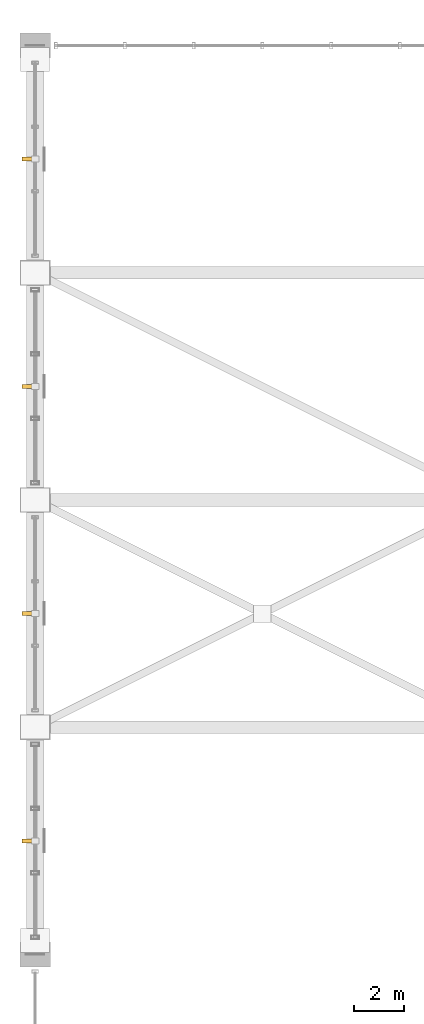
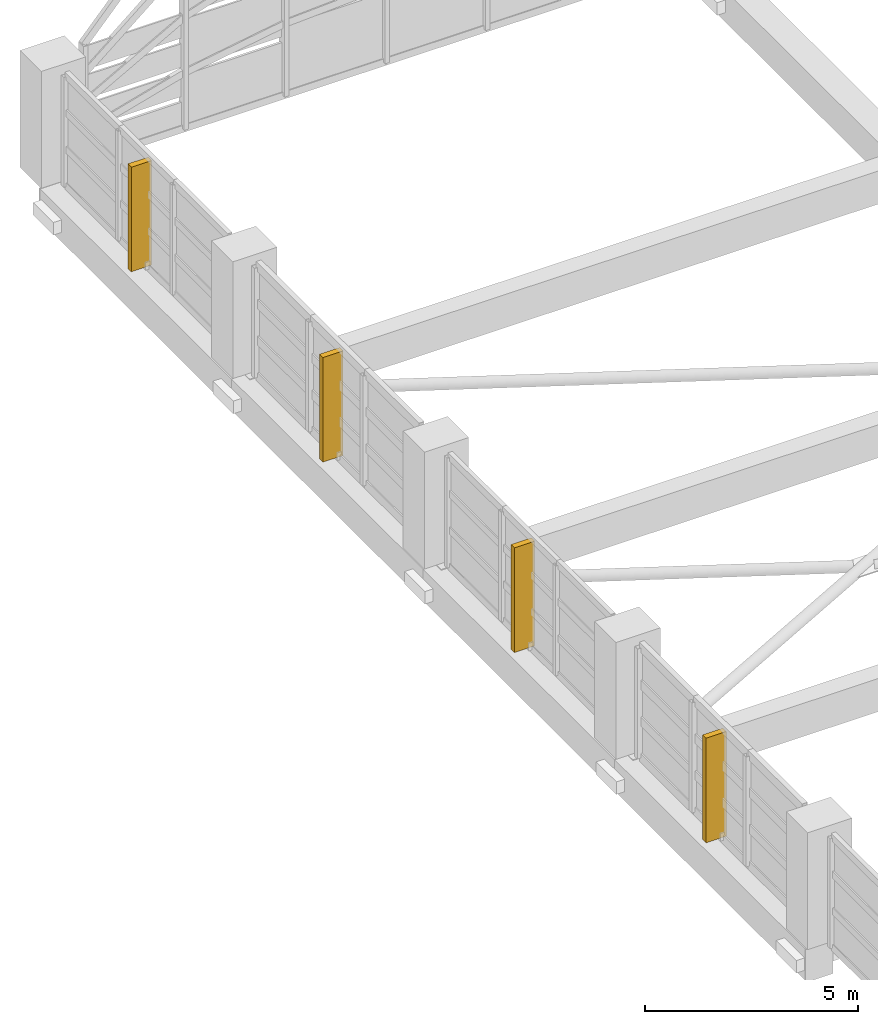
# One storey, part 109 of 116: 4 shading devices.
"""IFC4 building model written with IfcOpenShell, lengths in metres."""

from ifc_helpers import new_model, si_unit, direction, frame, origin, origin_2d, place, context, subcontext, project, spatial, rectangle, extrude, material, type_object, element, save


model = new_model("IFC4")

# Units and contexts
model_context = context("Model", 3, precision=1e-05, world=origin(), true_north=direction((0.0, 1.0)))
body_context = subcontext(model_context, "Body", "Model", "MODEL_VIEW")
ifc_project = project(units=[si_unit("LENGTHUNIT", "METRE"), si_unit("AREAUNIT", "SQUARE_METRE"), si_unit("VOLUMEUNIT", "CUBIC_METRE"), si_unit("PLANEANGLEUNIT", "RADIAN"), si_unit("MASSUNIT", "GRAM", prefix="KILO")], contexts=[model_context])

# Site, building, storey
site_placement = place(None, origin())
site = spatial("IfcSite", under=ifc_project, at=site_placement, CompositionType="ELEMENT")
building_placement = place(site_placement, origin())
building = spatial("IfcBuilding", under=site, at=building_placement, Name="Chuanluo Vaults Station", CompositionType="ELEMENT")
storey_placement = place(building_placement, frame((0.0, 0.0, 10.800048828125)))
storey = spatial("IfcBuildingStorey", under=building, at=storey_placement, Name="L02", CompositionType="ELEMENT", Elevation=10.800048828125)

# Shading devices
ifc_material = material(Name="Concrete C50", Category="concrete")
shading_device_type = type_object("IfcShadingDeviceType", Name="SHD-WEST-FIN", PredefinedType="AWNING", material=ifc_material)
for number, where, z_axis, x_axis, name in (
    (1, (-0.239990234375, 72.0, 0.050048828125), (0.0, 0.0, 1.0), (1.0, 0.0, 0.0), "West train-shed solar fin 20"),
    (2, (-0.239990234375, 81.0, 0.050048828125), (0.0, 0.0, 1.0), (1.0, 0.0, 0.0), "West train-shed solar fin 21"),
    (3, (-0.239990234375, 90.0, 0.050048828125), (0.0, 0.0, 1.0), (1.0, 0.0, 0.0), "West train-shed solar fin 22"),
    (4, (-0.239990234375, 99.0, 0.050048828125), (0.0, 0.0, 1.0), (1.0, 0.0, 0.0), "West train-shed solar fin 23"),
):
    element("IfcShadingDevice", number, at=place(storey_placement, frame(where, z_axis=z_axis, x_axis=x_axis)), inside=storey, type_object=shading_device_type, Name=name, PredefinedType="AWNING", context=body_context, shape_type="SweptSolid", body=[
        extrude(rectangle(XDim=0.550048828125, YDim=0.159912109375, at=origin_2d()), origin(), (0.0, 0.0, 1.0), 3.0),
    ])

save(model, "model.ifc")
